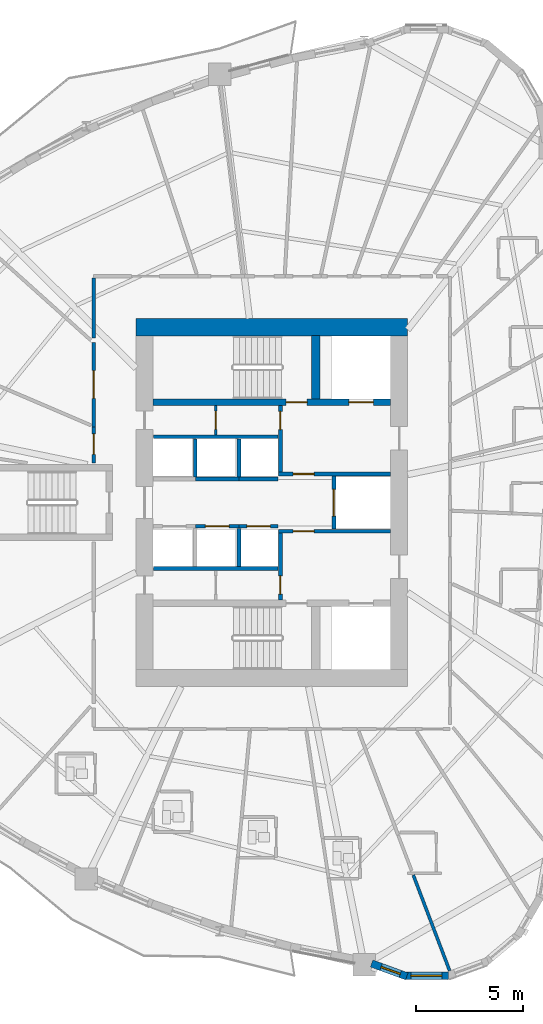
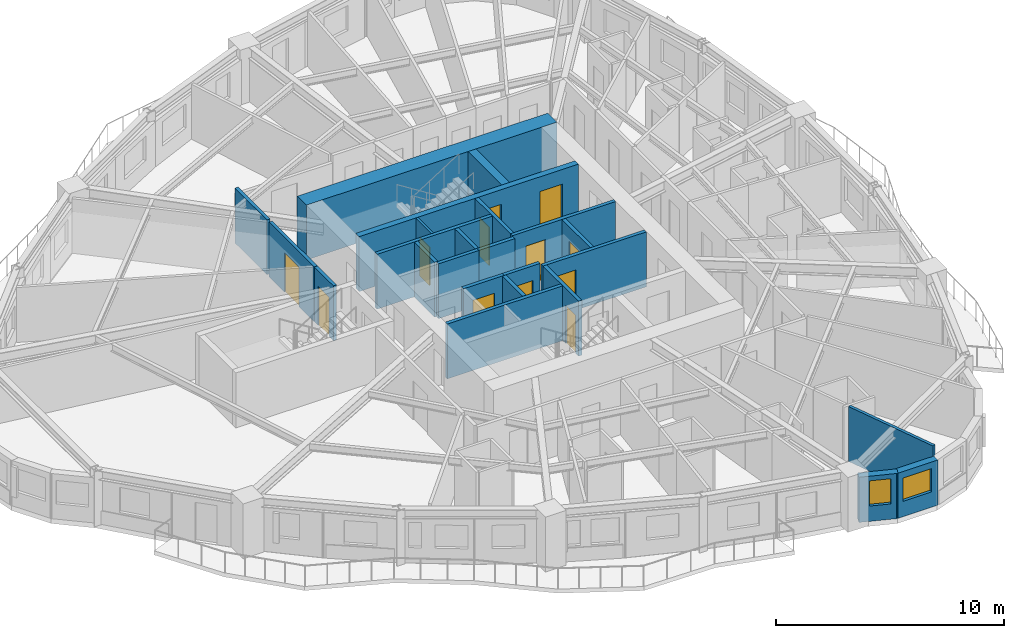
# One storey, part 5 of 14: 24 walls, 12 doors, 2 windows, 14 openings.
"""IFC4 building model written with IfcOpenShell, lengths in metres."""

from ifc_helpers import new_model, si_unit, direction, frame, frame_2d, origin, place, context, subcontext, project, spatial, rectangle, extrude, source, transform, mapped, material, layer, layer_set, type_object, element, fill, save


model = new_model("IFC4")

# Units and contexts
model_context = context("Model", 3, precision=1e-05, world=origin(), true_north=direction((0.0, 1.0)))
body_context = subcontext(model_context, "Body", "Model", "MODEL_VIEW")
ifc_project = project(units=[si_unit("LENGTHUNIT", "METRE"), si_unit("AREAUNIT", "SQUARE_METRE"), si_unit("VOLUMEUNIT", "CUBIC_METRE"), si_unit("PLANEANGLEUNIT", "RADIAN"), si_unit("MASSUNIT", "GRAM", prefix="KILO")], contexts=[model_context])

# Site, building, storey
site_placement = place(None, origin())
site = spatial("IfcSite", under=ifc_project, at=site_placement, CompositionType="ELEMENT")
building_placement = place(site_placement, origin())
building = spatial("IfcBuilding", under=site, at=building_placement, Name="Qafzar Sky-Pleat Residences", CompositionType="ELEMENT")
storey_placement = place(building_placement, frame((0.0, 0.0, 20.60009765625)))
storey = spatial("IfcBuildingStorey", under=building, at=storey_placement, Name="L05", CompositionType="ELEMENT", Elevation=20.60009765625)

# Wall, opening, door
ifc_material_1 = material(Name="Acoustic gypsum plasterboard partition", Category="gypsum")
ifc_layer_1 = layer(ifc_material_1, 0.159912109375)
ifc_layer_set_1 = layer_set([ifc_layer_1], Name="Acoustic gypsum plasterboard partition")
wall_type_1 = type_object("IfcWallType", Name="PART-COR-160", PredefinedType="PARTITIONING", material=ifc_layer_set_1)
wall_1_placement = place(storey_placement, frame((22.02001953125, 29.544921875, 0.0), z_axis=(0.0, 0.0, 1.0), x_axis=(0.0, 1.0, 0.0)))
wall_1 = element("IfcWall", 1, at=wall_1_placement, inside=storey, type_object=wall_type_1, Name="L05 Partition Wall PART-L05-PW-005", PredefinedType="PARTITIONING", context=body_context, shape_type="SweptSolid", body=[
    extrude(rectangle(XDim=3.948974609375, YDim=0.159912109375, at=frame_2d((1.974609375, 0.0))), origin(), (0.0, 0.0, 1.0), 2.93994140625),
])
opening_1_placement = place(wall_1_placement, frame((1.322998046875, 0.0, 0.0)))
opening_1 = element("IfcOpeningElement", 2, at=opening_1_placement, cuts=wall_1, Name="Opening ID-05", PredefinedType="OPENING", context=body_context, shape_type="SweptSolid", body=[
    extrude(rectangle(XDim=1.300048828125, YDim=2.10009765625, at=frame_2d((0.64990234375, 1.050048828125))), frame((0.0, 0.08984375, 0.0), z_axis=(0.0, -1.0, 0.0), x_axis=(1.0, 0.0, 0.0)), (0.0, 0.0, 1.0), 0.179931640625),
])
ifc_material_2 = material(Name="Timber-faced fire door", Category="wood")
door_type_1 = type_object("IfcDoorType", Name="DR-LNG-1300", OperationType="DOUBLE_DOOR_SINGLE_SWING", PredefinedType="DOOR", material=ifc_material_2)
shared_shape_1 = source(origin(), body_context, "Body", "SweptSolid", [
    extrude(rectangle(XDim=1.300048828125, YDim=2.10009765625, at=frame_2d((0.64990234375, 1.050048828125))), frame((0.0, 0.02490234375, 0.0), z_axis=(0.0, -1.0, 0.0), x_axis=(1.0, 0.0, 0.0)), (0.0, 0.0, 1.0), 0.050048828125),
])
door_1_placement = place(opening_1_placement, origin())
door_1 = element("IfcDoor", 3, at=door_1_placement, inside=storey, type_object=door_type_1, Name="L05 Co-Living Lounge Door", OperationType="DOUBLE_DOOR_SINGLE_SWING", OverallHeight=2.10009765625, OverallWidth=1.300048828125, PredefinedType="DOOR", context=body_context, shape_type="MappedRepresentation", body=[
    mapped(shared_shape_1, transform((0.0, 0.0, 0.0), x_axis=(1.0, 0.0, 0.0), y_axis=(0.0, 1.0, 0.0), z_axis=(0.0, 0.0, 1.0), scale=1.0)),
])
fill(opening_1, door_1)

wall_2_placement = place(storey_placement, frame((22.02001953125, 27.85009765625, 0.0), z_axis=(0.0, 0.0, 1.0), x_axis=(0.0, 1.0, 0.0)))
wall_2 = element("IfcWall", 4, at=wall_2_placement, inside=storey, type_object=wall_type_1, Name="L05 Partition Wall PART-L05-PW-029", PredefinedType="PARTITIONING", context=body_context, shape_type="SweptSolid", body=[
    extrude(rectangle(XDim=1.679931640625, YDim=0.159912109375, at=frame_2d((0.83984375, 0.0))), origin(), (0.0, 0.0, 1.0), 2.93994140625),
])
opening_2_placement = place(wall_2_placement, frame((0.405517578125, 0.0, 0.0)))
opening_2 = element("IfcOpeningElement", 5, at=opening_2_placement, cuts=wall_2, Name="Opening ID-06", PredefinedType="OPENING", context=body_context, shape_type="SweptSolid", body=[
    extrude(rectangle(XDim=0.9599609375, YDim=2.10009765625, at=frame_2d((0.47998046875, 1.050048828125))), frame((0.0, 0.08984375, 0.0), z_axis=(0.0, -1.0, 0.0), x_axis=(1.0, 0.0, 0.0)), (0.0, 0.0, 1.0), 0.179931640625),
])
door_type_2 = type_object("IfcDoorType", Name="DR-STD-960", OperationType="NOTDEFINED", PredefinedType="DOOR", material=ifc_material_2)
shared_shape_2 = source(origin(), body_context, "Body", "SweptSolid", [
    extrude(rectangle(XDim=0.9599609375, YDim=2.10009765625, at=frame_2d((0.47998046875, 1.050048828125))), frame((0.0, 0.02490234375, 0.0), z_axis=(0.0, -1.0, 0.0), x_axis=(1.0, 0.0, 0.0)), (0.0, 0.0, 1.0), 0.050048828125),
])
door_2_placement = place(opening_2_placement, origin())
door_2 = element("IfcDoor", 6, at=door_2_placement, inside=storey, type_object=door_type_2, Name="L05 Reading Library Door", OperationType="SINGLE_SWING_RIGHT", OverallHeight=2.10009765625, OverallWidth=0.9599609375, PredefinedType="DOOR", context=body_context, shape_type="MappedRepresentation", body=[
    mapped(shared_shape_2, transform((0.0, 0.0, 0.0), x_axis=(1.0, 0.0, 0.0), y_axis=(0.0, 1.0, 0.0), z_axis=(0.0, 0.0, 1.0), scale=1.0)),
])
fill(opening_2, door_2)

# Wall
wall_3_placement = place(storey_placement, frame((22.02001953125, 33.686279296875, 0.0), z_axis=(0.0, 0.0, 1.0), x_axis=(0.0, 1.0, 0.0)))
element("IfcWall", 7, at=wall_3_placement, inside=storey, type_object=wall_type_1, Name="L05 Partition Wall PART-L05-PW-060", PredefinedType="PARTITIONING", context=body_context, shape_type="SweptSolid", body=[
    extrude(rectangle(XDim=2.8056640625, YDim=0.159912109375, at=frame_2d((1.40283203125, 0.0))), origin(), (0.0, 0.0, 1.0), 2.93994140625),
])

# Wall, opening, door
ifc_material_3 = material(Name="Concrete blockwork partition", Category="masonry")
ifc_layer_2 = layer(ifc_material_3, 0.179931640625)
ifc_layer_set_2 = layer_set([ifc_layer_2], Name="Concrete blockwork partition")
wall_type_2 = type_object("IfcWallType", Name="PART-SHAFT-180", PredefinedType="PARTITIONING", material=ifc_layer_set_2)
wall_4_placement = place(storey_placement, frame((30.75, 21.4599609375, 0.0), z_axis=(0.0, 0.0, 1.0), x_axis=(0.0, 1.0, 0.0)))
wall_4 = element("IfcWall", 8, at=wall_4_placement, inside=storey, type_object=wall_type_2, Name="L05 Partition Wall PART-L05-FFL1-W", PredefinedType="PARTITIONING", context=body_context, shape_type="SweptSolid", body=[
    extrude(rectangle(XDim=3.110107421875, YDim=0.179931640625, at=frame_2d((1.55517578125, 0.0))), origin(), (0.0, 0.0, 1.0), 2.93994140625),
])
opening_3_placement = place(wall_4_placement, frame((0.260009765625, 0.0, 0.0)))
opening_3 = element("IfcOpeningElement", 9, at=opening_3_placement, cuts=wall_4, Name="Opening ID-09", PredefinedType="OPENING", context=body_context, shape_type="SweptSolid", body=[
    extrude(rectangle(XDim=0.860107421875, YDim=2.050048828125, at=frame_2d((0.43017578125, 1.02490234375))), frame((0.0, 0.10009765625, 0.0), z_axis=(0.0, -1.0, 0.0), x_axis=(1.0, 0.0, 0.0)), (0.0, 0.0, 1.0), 0.199951171875),
])
door_type_3 = type_object("IfcDoorType", Name="DR-SVC-860", OperationType="NOTDEFINED", PredefinedType="DOOR", material=ifc_material_2)
shared_shape_3 = source(origin(), body_context, "Body", "SweptSolid", [
    extrude(rectangle(XDim=0.860107421875, YDim=2.050048828125, at=frame_2d((0.43017578125, 1.02490234375))), frame((0.0, 0.02490234375, 0.0), z_axis=(0.0, -1.0, 0.0), x_axis=(1.0, 0.0, 0.0)), (0.0, 0.0, 1.0), 0.050048828125),
])
door_3_placement = place(opening_3_placement, origin())
door_3 = element("IfcDoor", 10, at=door_3_placement, inside=storey, type_object=door_type_3, Name="L05 South Core Cupboard Door", OperationType="SINGLE_SWING_RIGHT", OverallHeight=2.050048828125, OverallWidth=0.860107421875, PredefinedType="DOOR", context=body_context, shape_type="MappedRepresentation", body=[
    mapped(shared_shape_3, transform((0.0, 0.0, 0.0), x_axis=(1.0, 0.0, 0.0), y_axis=(0.0, 1.0, 0.0), z_axis=(0.0, 0.0, 1.0), scale=1.0)),
])
fill(opening_3, door_3)

wall_5_placement = place(storey_placement, frame((30.669921875, 24.659912109375, 0.0), z_axis=(0.0, 0.0, 1.0), x_axis=(1.0, 0.0, 0.0)))
wall_5 = element("IfcWall", 11, at=wall_5_placement, inside=storey, type_object=wall_type_2, Name="L05 Partition Wall PART-L05-FFL1-N", PredefinedType="PARTITIONING", context=body_context, shape_type="SweptSolid", body=[
    extrude(rectangle(XDim=5.219970703125, YDim=0.179931640625, at=frame_2d((2.60986328125, 0.0))), origin(), (0.0, 0.0, 1.0), 2.93994140625),
])
opening_4_placement = place(wall_5_placement, frame((0.679931640625, 0.0, 0.0)))
opening_4 = element("IfcOpeningElement", 12, at=opening_4_placement, cuts=wall_5, Name="Opening ID-01", PredefinedType="OPENING", context=body_context, shape_type="SweptSolid", body=[
    extrude(rectangle(XDim=0.97998046875, YDim=2.14990234375, at=frame_2d((0.489990234375, 1.074951171875))), frame((0.0, 0.10009765625, 0.0), z_axis=(0.0, -1.0, 0.0), x_axis=(1.0, 0.0, 0.0)), (0.0, 0.0, 1.0), 0.199951171875),
])
door_type_4 = type_object("IfcDoorType", Name="DR-STAIR-980", OperationType="NOTDEFINED", PredefinedType="DOOR", material=ifc_material_2)
shared_shape_4 = source(origin(), body_context, "Body", "SweptSolid", [
    extrude(rectangle(XDim=0.97998046875, YDim=2.14990234375, at=frame_2d((0.489990234375, 1.074951171875))), frame((0.0, 0.02490234375, 0.0), z_axis=(0.0, -1.0, 0.0), x_axis=(1.0, 0.0, 0.0)), (0.0, 0.0, 1.0), 0.050048828125),
])
door_4_placement = place(opening_4_placement, origin())
door_4 = element("IfcDoor", 13, at=door_4_placement, inside=storey, type_object=door_type_4, Name="L05 Lift Lobby to South Firefighting Lobby Door", OperationType="SINGLE_SWING_LEFT", OverallHeight=2.14990234375, OverallWidth=0.97998046875, PredefinedType="DOOR", context=body_context, shape_type="MappedRepresentation", body=[
    mapped(shared_shape_4, transform((0.0, 0.0, 0.0), x_axis=(1.0, 0.0, 0.0), y_axis=(0.0, 1.0, 0.0), z_axis=(0.0, 0.0, 1.0), scale=1.0)),
])
fill(opening_4, door_4)

wall_6_placement = place(storey_placement, frame((30.75, 27.429931640625, 0.0), z_axis=(0.0, 0.0, 1.0), x_axis=(0.0, 1.0, 0.0)))
wall_6 = element("IfcWall", 14, at=wall_6_placement, inside=storey, type_object=wall_type_2, Name="L05 Partition Wall PART-L05-FFL2-W", PredefinedType="PARTITIONING", context=body_context, shape_type="SweptSolid", body=[
    extrude(rectangle(XDim=3.110107421875, YDim=0.179931640625, at=frame_2d((1.55517578125, 0.0))), origin(), (0.0, 0.0, 1.0), 2.93994140625),
])
opening_5_placement = place(wall_6_placement, frame((1.97998046875, 0.0, 0.0)))
opening_5 = element("IfcOpeningElement", 15, at=opening_5_placement, cuts=wall_6, Name="Opening ID-09", PredefinedType="OPENING", context=body_context, shape_type="SweptSolid", body=[
    extrude(rectangle(XDim=0.860107421875, YDim=2.050048828125, at=frame_2d((0.43017578125, 1.02490234375))), frame((0.0, 0.10009765625, 0.0), z_axis=(0.0, -1.0, 0.0), x_axis=(1.0, 0.0, 0.0)), (0.0, 0.0, 1.0), 0.199951171875),
])
door_5_placement = place(opening_5_placement, origin())
door_5 = element("IfcDoor", 16, at=door_5_placement, inside=storey, type_object=door_type_3, Name="L05 North Core Cupboard Door", OperationType="SINGLE_SWING_RIGHT", OverallHeight=2.050048828125, OverallWidth=0.860107421875, PredefinedType="DOOR", context=body_context, shape_type="MappedRepresentation", body=[
    mapped(shared_shape_3, transform((0.0, 0.0, 0.0), x_axis=(1.0, 0.0, 0.0), y_axis=(0.0, 1.0, 0.0), z_axis=(0.0, 0.0, 1.0), scale=1.0)),
])
fill(opening_5, door_5)

wall_7_placement = place(storey_placement, frame((30.669921875, 27.340087890625, 0.0), z_axis=(0.0, 0.0, 1.0), x_axis=(1.0, 0.0, 0.0)))
wall_7 = element("IfcWall", 17, at=wall_7_placement, inside=storey, type_object=wall_type_2, Name="L05 Partition Wall PART-L05-FFL2-S", PredefinedType="PARTITIONING", context=body_context, shape_type="SweptSolid", body=[
    extrude(rectangle(XDim=5.219970703125, YDim=0.179931640625, at=frame_2d((2.60986328125, 0.0))), origin(), (0.0, 0.0, 1.0), 2.93994140625),
])
opening_6_placement = place(wall_7_placement, frame((0.679931640625, 0.0, 0.0)))
opening_6 = element("IfcOpeningElement", 18, at=opening_6_placement, cuts=wall_7, Name="Opening ID-01", PredefinedType="OPENING", context=body_context, shape_type="SweptSolid", body=[
    extrude(rectangle(XDim=0.97998046875, YDim=2.14990234375, at=frame_2d((0.489990234375, 1.074951171875))), frame((0.0, 0.10009765625, 0.0), z_axis=(0.0, -1.0, 0.0), x_axis=(1.0, 0.0, 0.0)), (0.0, 0.0, 1.0), 0.199951171875),
])
door_6_placement = place(opening_6_placement, origin())
door_6 = element("IfcDoor", 19, at=door_6_placement, inside=storey, type_object=door_type_4, Name="L05 Lift Lobby to North Firefighting Lobby Door", OperationType="SINGLE_SWING_LEFT", OverallHeight=2.14990234375, OverallWidth=0.97998046875, PredefinedType="DOOR", context=body_context, shape_type="MappedRepresentation", body=[
    mapped(shared_shape_4, transform((0.0, 0.0, 0.0), x_axis=(1.0, 0.0, 0.0), y_axis=(0.0, 1.0, 0.0), z_axis=(0.0, 0.0, 1.0), scale=1.0)),
])
fill(opening_6, door_6)

wall_8_placement = place(storey_placement, frame((33.25, 24.760009765625, 0.0), z_axis=(0.0, 0.0, 1.0), x_axis=(0.0, 1.0, 0.0)))
wall_8 = element("IfcWall", 20, at=wall_8_placement, inside=storey, type_object=wall_type_2, Name="L05 Partition Wall PART-L05-SV1-W", PredefinedType="PARTITIONING", context=body_context, shape_type="SweptSolid", body=[
    extrude(rectangle(XDim=2.47998046875, YDim=0.179931640625, at=frame_2d((1.239990234375, 0.0))), origin(), (0.0, 0.0, 1.0), 2.93994140625),
])
opening_7_placement = place(wall_8_placement, frame((0.614990234375, 0.0, 0.0)))
opening_7 = element("IfcOpeningElement", 21, at=opening_7_placement, cuts=wall_8, Name="Opening LD-03", PredefinedType="OPENING", context=body_context, shape_type="SweptSolid", body=[
    extrude(rectangle(XDim=1.25, YDim=2.14990234375, at=frame_2d((0.625, 1.074951171875))), frame((0.0, 0.10009765625, 0.0), z_axis=(0.0, -1.0, 0.0), x_axis=(1.0, 0.0, 0.0)), (0.0, 0.0, 1.0), 0.199951171875),
])
ifc_material_4 = material(Name="Stainless steel sliding landing door", Category="steel")
door_type_5 = type_object("IfcDoorType", Name="DR-LIFT-SV", OperationType="DOUBLE_DOOR_SLIDING", PredefinedType="DOOR", material=ifc_material_4)
shared_shape_5 = source(origin(), body_context, "Body", "SweptSolid", [
    extrude(rectangle(XDim=1.25, YDim=2.14990234375, at=frame_2d((0.625, 1.074951171875))), frame((0.0, 0.02490234375, 0.0), z_axis=(0.0, -1.0, 0.0), x_axis=(1.0, 0.0, 0.0)), (0.0, 0.0, 1.0), 0.050048828125),
])
door_7_placement = place(opening_7_placement, origin())
door_7 = element("IfcDoor", 22, at=door_7_placement, inside=storey, type_object=door_type_5, Name="L05 Service Lift SV1 Landing Door", OperationType="DOUBLE_DOOR_SLIDING", OverallHeight=2.14990234375, OverallWidth=1.25, PredefinedType="DOOR", context=body_context, shape_type="MappedRepresentation", body=[
    mapped(shared_shape_5, transform((0.0, 0.0, 0.0), x_axis=(1.0, 0.0, 0.0), y_axis=(0.0, 1.0, 0.0), z_axis=(0.0, 0.0, 1.0), scale=1.0)),
])
fill(opening_7, door_7)

# Wall
wall_9_placement = place(storey_placement, frame((24.81005859375, 22.919921875, 0.0), z_axis=(0.0, 0.0, 1.0), x_axis=(1.0, 0.0, 0.0)))
element("IfcWall", 23, at=wall_9_placement, inside=storey, type_object=wall_type_2, Name="L05 Partition Wall PART-L05-P13-S", PredefinedType="PARTITIONING", context=body_context, shape_type="SweptSolid", body=[
    extrude(rectangle(XDim=5.83984375, YDim=0.179931640625, at=frame_2d((2.919921875, 0.0))), origin(), (0.0, 0.0, 1.0), 2.93994140625),
])

# Wall, opening, door
wall_10_placement = place(storey_placement, frame((26.77490234375, 24.89990234375, 0.0), z_axis=(0.0, 0.0, 1.0), x_axis=(1.0, 0.0, 0.0)))
wall_10 = element("IfcWall", 24, at=wall_10_placement, inside=storey, type_object=wall_type_2, Name="L05 Partition Wall PART-L05-P2-N", PredefinedType="PARTITIONING", context=body_context, shape_type="SweptSolid", body=[
    extrude(rectangle(XDim=2.050048828125, YDim=0.179931640625, at=frame_2d((1.02490234375, 0.0))), origin(), (0.0, 0.0, 1.0), 2.93994140625),
])
opening_8_placement = place(wall_10_placement, frame((0.47509765625, 0.0, 0.0)))
opening_8 = element("IfcOpeningElement", 25, at=opening_8_placement, cuts=wall_10, Name="Opening LD-01", PredefinedType="OPENING", context=body_context, shape_type="SweptSolid", body=[
    extrude(rectangle(XDim=1.10009765625, YDim=2.14990234375, at=frame_2d((0.550048828125, 1.074951171875))), frame((0.0, 0.10009765625, 0.0), z_axis=(0.0, -1.0, 0.0), x_axis=(1.0, 0.0, 0.0)), (0.0, 0.0, 1.0), 0.199951171875),
])
door_type_6 = type_object("IfcDoorType", Name="DR-LIFT-P", OperationType="DOUBLE_DOOR_SLIDING", PredefinedType="DOOR", material=ifc_material_4)
shared_shape_6 = source(origin(), body_context, "Body", "SweptSolid", [
    extrude(rectangle(XDim=1.10009765625, YDim=2.14990234375, at=frame_2d((0.550048828125, 1.074951171875))), frame((0.0, 0.02490234375, 0.0), z_axis=(0.0, -1.0, 0.0), x_axis=(1.0, 0.0, 0.0)), (0.0, 0.0, 1.0), 0.050048828125),
])
door_8_placement = place(opening_8_placement, origin())
door_8 = element("IfcDoor", 26, at=door_8_placement, inside=storey, type_object=door_type_6, Name="L05 Passenger Lift P2 Landing Door", OperationType="DOUBLE_DOOR_SLIDING", OverallHeight=2.14990234375, OverallWidth=1.10009765625, PredefinedType="DOOR", context=body_context, shape_type="MappedRepresentation", body=[
    mapped(shared_shape_6, transform((0.0, 0.0, 0.0), x_axis=(1.0, 0.0, 0.0), y_axis=(0.0, 1.0, 0.0), z_axis=(0.0, 0.0, 1.0), scale=1.0)),
])
fill(opening_8, door_8)

wall_11_placement = place(storey_placement, frame((28.824951171875, 24.89990234375, 0.0), z_axis=(0.0, 0.0, 1.0), x_axis=(1.0, 0.0, 0.0)))
wall_11 = element("IfcWall", 27, at=wall_11_placement, inside=storey, type_object=wall_type_2, Name="L05 Partition Wall PART-L05-P3-N", PredefinedType="PARTITIONING", context=body_context, shape_type="SweptSolid", body=[
    extrude(rectangle(XDim=1.824951171875, YDim=0.179931640625, at=frame_2d((0.91259765625, 0.0))), origin(), (0.0, 0.0, 1.0), 2.93994140625),
])
opening_9_placement = place(wall_11_placement, frame((0.362548828125, 0.0, 0.0)))
opening_9 = element("IfcOpeningElement", 28, at=opening_9_placement, cuts=wall_11, Name="Opening LD-01", PredefinedType="OPENING", context=body_context, shape_type="SweptSolid", body=[
    extrude(rectangle(XDim=1.10009765625, YDim=2.14990234375, at=frame_2d((0.550048828125, 1.074951171875))), frame((0.0, 0.10009765625, 0.0), z_axis=(0.0, -1.0, 0.0), x_axis=(1.0, 0.0, 0.0)), (0.0, 0.0, 1.0), 0.199951171875),
])
door_9_placement = place(opening_9_placement, origin())
door_9 = element("IfcDoor", 29, at=door_9_placement, inside=storey, type_object=door_type_6, Name="L05 Passenger Lift P3 Landing Door", OperationType="DOUBLE_DOOR_SLIDING", OverallHeight=2.14990234375, OverallWidth=1.10009765625, PredefinedType="DOOR", context=body_context, shape_type="MappedRepresentation", body=[
    mapped(shared_shape_6, transform((0.0, 0.0, 0.0), x_axis=(1.0, 0.0, 0.0), y_axis=(0.0, 1.0, 0.0), z_axis=(0.0, 0.0, 1.0), scale=1.0)),
])
fill(opening_9, door_9)

# Walls
wall_12_placement = place(storey_placement, frame((28.824951171875, 23.02001953125, 0.0), z_axis=(0.0, 0.0, 1.0), x_axis=(0.0, 1.0, 0.0)))
element("IfcWall", 30, at=wall_12_placement, inside=storey, type_object=wall_type_2, Name="L05 Partition Wall PART-L05-P13-DIV-2", PredefinedType="PARTITIONING", context=body_context, shape_type="SweptSolid", body=[
    extrude(rectangle(XDim=1.780029296875, YDim=0.179931640625, at=frame_2d((0.89013671875, 0.0))), origin(), (0.0, 0.0, 1.0), 2.93994140625),
])
wall_13_placement = place(storey_placement, frame((24.81005859375, 29.080078125, 0.0), z_axis=(0.0, 0.0, 1.0), x_axis=(1.0, 0.0, 0.0)))
element("IfcWall", 31, at=wall_13_placement, inside=storey, type_object=wall_type_2, Name="L05 Partition Wall PART-L05-P46-N", PredefinedType="PARTITIONING", context=body_context, shape_type="SweptSolid", body=[
    extrude(rectangle(XDim=5.83984375, YDim=0.179931640625, at=frame_2d((2.919921875, 0.0))), origin(), (0.0, 0.0, 1.0), 2.93994140625),
])
wall_14_placement = place(storey_placement, frame((26.77490234375, 27.10009765625, 0.0), z_axis=(0.0, 0.0, 1.0), x_axis=(1.0, 0.0, 0.0)))
element("IfcWall", 32, at=wall_14_placement, inside=storey, type_object=wall_type_2, Name="L05 Partition Wall PART-L05-P5-S", PredefinedType="PARTITIONING", context=body_context, shape_type="SweptSolid", body=[
    extrude(rectangle(XDim=2.050048828125, YDim=0.179931640625, at=frame_2d((1.02490234375, 0.0))), origin(), (0.0, 0.0, 1.0), 2.93994140625),
])
wall_15_placement = place(storey_placement, frame((26.77490234375, 27.199951171875, 0.0), z_axis=(0.0, 0.0, 1.0), x_axis=(0.0, 1.0, 0.0)))
element("IfcWall", 33, at=wall_15_placement, inside=storey, type_object=wall_type_2, Name="L05 Partition Wall PART-L05-P46-DIV-1", PredefinedType="PARTITIONING", context=body_context, shape_type="SweptSolid", body=[
    extrude(rectangle(XDim=1.780029296875, YDim=0.179931640625, at=frame_2d((0.89013671875, 0.0))), origin(), (0.0, 0.0, 1.0), 2.93994140625),
])
wall_16_placement = place(storey_placement, frame((28.824951171875, 27.10009765625, 0.0), z_axis=(0.0, 0.0, 1.0), x_axis=(1.0, 0.0, 0.0)))
element("IfcWall", 34, at=wall_16_placement, inside=storey, type_object=wall_type_2, Name="L05 Partition Wall PART-L05-P6-S", PredefinedType="PARTITIONING", context=body_context, shape_type="SweptSolid", body=[
    extrude(rectangle(XDim=1.824951171875, YDim=0.179931640625, at=frame_2d((0.91259765625, 0.0))), origin(), (0.0, 0.0, 1.0), 2.93994140625),
])
wall_17_placement = place(storey_placement, frame((28.824951171875, 27.199951171875, 0.0), z_axis=(0.0, 0.0, 1.0), x_axis=(0.0, 1.0, 0.0)))
element("IfcWall", 35, at=wall_17_placement, inside=storey, type_object=wall_type_2, Name="L05 Partition Wall PART-L05-P46-DIV-2", PredefinedType="PARTITIONING", context=body_context, shape_type="SweptSolid", body=[
    extrude(rectangle(XDim=1.780029296875, YDim=0.179931640625, at=frame_2d((0.89013671875, 0.0))), origin(), (0.0, 0.0, 1.0), 2.93994140625),
])

# Wall, opening, door
ifc_material_5 = material(Name="Gypsum plasterboard partition", Category="gypsum")
ifc_layer_3 = layer(ifc_material_5, 0.114990234375)
ifc_layer_set_3 = layer_set([ifc_layer_3], Name="Gypsum plasterboard partition")
wall_type_3 = type_object("IfcWallType", Name="PART-SVC-115", PredefinedType="PARTITIONING", material=ifc_layer_set_3)
wall_18_placement = place(storey_placement, frame((27.72509765625, 29.159912109375, 0.0), z_axis=(0.0, 0.0, 1.0), x_axis=(0.0, 1.0, 0.0)))
wall_18 = element("IfcWall", 36, at=wall_18_placement, inside=storey, type_object=wall_type_3, Name="L05 Partition Wall PART-L05-KB-NW", PredefinedType="PARTITIONING", context=body_context, shape_type="SweptSolid", body=[
    extrude(rectangle(XDim=1.380126953125, YDim=0.114990234375, at=frame_2d((0.68994140625, 0.0))), origin(), (0.0, 0.0, 1.0), 2.93994140625),
])
opening_10_placement = place(wall_18_placement, frame((0.260009765625, 0.0, 0.0)))
opening_10 = element("IfcOpeningElement", 37, at=opening_10_placement, cuts=wall_18, Name="Opening ID-09", PredefinedType="OPENING", context=body_context, shape_type="SweptSolid", body=[
    extrude(rectangle(XDim=0.860107421875, YDim=2.050048828125, at=frame_2d((0.43017578125, 1.02490234375))), frame((0.0, 0.0673828125, 0.0), z_axis=(0.0, -1.0, 0.0), x_axis=(1.0, 0.0, 0.0)), (0.0, 0.0, 1.0), 0.135009765625),
])
door_10_placement = place(opening_10_placement, origin())
door_10 = element("IfcDoor", 38, at=door_10_placement, inside=storey, type_object=door_type_3, Name="L05 IT Cupboard Door", OperationType="SINGLE_SWING_LEFT", OverallHeight=2.050048828125, OverallWidth=0.860107421875, PredefinedType="DOOR", context=body_context, shape_type="MappedRepresentation", body=[
    mapped(shared_shape_3, transform((0.0, 0.0, 0.0), x_axis=(1.0, 0.0, 0.0), y_axis=(0.0, 1.0, 0.0), z_axis=(0.0, 0.0, 1.0), scale=1.0)),
])
fill(opening_10, door_10)

# Wall
ifc_layer_4 = layer(ifc_material_1, 0.14501953125)
ifc_layer_set_4 = layer_set([ifc_layer_4], Name="Acoustic gypsum plasterboard partition")
wall_type_4 = type_object("IfcWallType", Name="PART-UNIT-145", PredefinedType="PARTITIONING", material=ifc_layer_set_4)
wall_19_placement = place(storey_placement, frame((36.96337890625, 8.59375, 0.0), z_axis=(0.0, 0.0, 1.0), x_axis=(0.35524629266, -0.934772737916, 0.0)))
element("IfcWall", 39, at=wall_19_placement, inside=storey, type_object=wall_type_4, Name="L05 Partition Wall PART-L05-PW-050", PredefinedType="PARTITIONING", context=body_context, shape_type="SweptSolid", body=[
    extrude(rectangle(XDim=4.78515625, YDim=0.14501953125, at=frame_2d((2.392578125, 0.0))), origin(), (0.0, 0.0, 1.0), 2.93994140625),
])

# Wall, opening, window
ifc_material_6 = material(Name="Precast concrete C40/50 with honed Riyadh limestone", Category="concrete")
ifc_layer_5 = layer(ifc_material_6, 0.35009765625)
ifc_layer_set_5 = layer_set([ifc_layer_5], Name="Precast concrete C40/50 with honed Riyadh limestone")
wall_type_5 = type_object("IfcWallType", Name="WALL-EXT-350", PredefinedType="SOLIDWALL", material=ifc_layer_set_5)
wall_20_placement = place(storey_placement, frame((35.014404296875, 4.458740234375, 0.0), z_axis=(0.0, 0.0, 1.0), x_axis=(0.939720171257, -0.341944439541, 0.0)))
wall_20 = element("IfcWall", 40, at=wall_20_placement, inside=storey, type_object=wall_type_5, Name="L05 Limestone Facade Wall 17", PredefinedType="SOLIDWALL", context=body_context, shape_type="SweptSolid", body=[
    extrude(rectangle(XDim=1.752197265625, YDim=0.35009765625, at=frame_2d((0.8759765625, 0.0))), origin(), (0.0, 0.0, 1.0), 2.419921875),
])
opening_11_placement = place(wall_20_placement, frame((0.47607421875, 0.0, 0.820068359375)))
opening_11 = element("IfcOpeningElement", 41, at=opening_11_placement, cuts=wall_20, Name="Opening WN-12", PredefinedType="OPENING", context=body_context, shape_type="SweptSolid", body=[
    extrude(rectangle(XDim=0.949951171875, YDim=1.35009765625, at=frame_2d((0.47509765625, 0.675048828125))), frame((0.0, 0.18505859375, 0.0), z_axis=(0.0, -1.0, 0.0), x_axis=(1.0, 0.0, 0.0)), (0.0, 0.0, 1.0), 0.3701171875),
])
ifc_material_7 = material(Name="Solar-control low-E glass in bronze aluminium frame", Category="glass")
window_type_1 = type_object("IfcWindowType", Name="WIN-12", PartitioningType="SINGLE_PANEL", PredefinedType="WINDOW", material=ifc_material_7)
shared_shape_7 = source(origin(), body_context, "Body", "SweptSolid", [
    extrude(rectangle(XDim=0.949951171875, YDim=1.35009765625, at=frame_2d((0.47509765625, 0.675048828125))), frame((0.0, 0.030029296875, 0.0), z_axis=(0.0, -1.0, 0.0), x_axis=(1.0, 0.0, 0.0)), (0.0, 0.0, 1.0), 0.06005859375),
])
window_1_placement = place(opening_11_placement, origin())
window_1 = element("IfcWindow", 42, at=window_1_placement, inside=storey, type_object=window_type_1, Name="L05 Punched Facade Window 17", OverallHeight=1.35009765625, OverallWidth=0.949951171875, PartitioningType="SINGLE_PANEL", PredefinedType="WINDOW", context=body_context, shape_type="MappedRepresentation", body=[
    mapped(shared_shape_7, transform((0.0, 0.0, 0.0), x_axis=(1.0, 0.0, 0.0), y_axis=(0.0, 1.0, 0.0), z_axis=(0.0, 0.0, 1.0), scale=1.0)),
])
fill(opening_11, window_1)

wall_21_placement = place(storey_placement, frame((36.52734375, 3.883056640625, 0.0), z_axis=(0.0, 0.0, 1.0), x_axis=(1.0, 0.0, 0.0)))
wall_21 = element("IfcWall", 43, at=wall_21_placement, inside=storey, type_object=wall_type_5, Name="L05 Limestone Facade Wall 18", PredefinedType="SOLIDWALL", context=body_context, shape_type="SweptSolid", body=[
    extrude(rectangle(XDim=2.09033203125, YDim=0.35009765625, at=frame_2d((1.045166015625, 0.0))), origin(), (0.0, 0.0, 1.0), 2.419921875),
])
opening_12_placement = place(wall_21_placement, frame((0.3203125, 0.0, 0.820068359375)))
opening_12 = element("IfcOpeningElement", 44, at=opening_12_placement, cuts=wall_21, Name="Opening WN-15", PredefinedType="OPENING", context=body_context, shape_type="SweptSolid", body=[
    extrude(rectangle(XDim=1.449951171875, YDim=1.25, at=frame_2d((0.72509765625, 0.625))), frame((0.0, 0.18505859375, 0.0), z_axis=(0.0, -1.0, 0.0), x_axis=(1.0, 0.0, 0.0)), (0.0, 0.0, 1.0), 0.3701171875),
])
window_type_2 = type_object("IfcWindowType", Name="WIN-15", PartitioningType="SINGLE_PANEL", PredefinedType="WINDOW", material=ifc_material_7)
shared_shape_8 = source(origin(), body_context, "Body", "SweptSolid", [
    extrude(rectangle(XDim=1.449951171875, YDim=1.25, at=frame_2d((0.72509765625, 0.625))), frame((0.0, 0.030029296875, 0.0), z_axis=(0.0, -1.0, 0.0), x_axis=(1.0, 0.0, 0.0)), (0.0, 0.0, 1.0), 0.06005859375),
])
window_2_placement = place(opening_12_placement, origin())
window_2 = element("IfcWindow", 45, at=window_2_placement, inside=storey, type_object=window_type_2, Name="L05 Punched Facade Window 18", OverallHeight=1.25, OverallWidth=1.449951171875, PartitioningType="SINGLE_PANEL", PredefinedType="WINDOW", context=body_context, shape_type="MappedRepresentation", body=[
    mapped(shared_shape_8, transform((0.0, 0.0, 0.0), x_axis=(1.0, 0.0, 0.0), y_axis=(0.0, 1.0, 0.0), z_axis=(0.0, 0.0, 1.0), scale=1.0)),
])
fill(opening_12, window_2)

# Wall, openings, doors
ifc_material_8 = material(Name="Concrete C60/75", Category="concrete")
ifc_layer_6 = layer(ifc_material_8, 0.300048828125)
ifc_layer_set_6 = layer_set([ifc_layer_6], Name="Concrete C60/75")
wall_type_6 = type_object("IfcWallType", Name="WALL-SHEAR-300", PredefinedType="SHEAR", material=ifc_layer_set_6)
wall_22_placement = place(storey_placement, frame((24.800048828125, 30.699951171875, 0.0), z_axis=(0.0, 0.0, 1.0), x_axis=(1.0, 0.0, 0.0)))
wall_22 = element("IfcWall", 46, at=wall_22_placement, inside=storey, type_object=wall_type_6, Name="L05 Stair ST2 and FF2 Shaft South Wall", PredefinedType="SHEAR", context=body_context, shape_type="SweptSolid", body=[
    extrude(rectangle(XDim=11.099853515625, YDim=0.300048828125, at=frame_2d((5.5498046875, 0.0))), origin(), (0.0, 0.0, 1.0), 2.93994140625),
])
opening_13_placement = place(wall_22_placement, frame((6.219970703125, 0.0, 0.0)))
opening_13 = element("IfcOpeningElement", 47, at=opening_13_placement, cuts=wall_22, Name="Opening ID-01", PredefinedType="OPENING", context=body_context, shape_type="SweptSolid", body=[
    extrude(rectangle(XDim=0.97998046875, YDim=2.14990234375, at=frame_2d((0.489990234375, 1.074951171875))), frame((0.0, 0.16015625, 0.0), z_axis=(0.0, -1.0, 0.0), x_axis=(1.0, 0.0, 0.0)), (0.0, 0.0, 1.0), 0.320068359375),
])
opening_14_placement = place(wall_22_placement, frame((9.14990234375, 0.0, 0.0)))
opening_14 = element("IfcOpeningElement", 48, at=opening_14_placement, cuts=wall_22, Name="Opening LD-02", PredefinedType="OPENING", context=body_context, shape_type="SweptSolid", body=[
    extrude(rectangle(XDim=1.14990234375, YDim=2.14990234375, at=frame_2d((0.574951171875, 1.074951171875))), frame((0.0, 0.16015625, 0.0), z_axis=(0.0, -1.0, 0.0), x_axis=(1.0, 0.0, 0.0)), (0.0, 0.0, 1.0), 0.320068359375),
])
door_11_placement = place(opening_13_placement, origin())
door_11 = element("IfcDoor", 49, at=door_11_placement, inside=storey, type_object=door_type_4, Name="L05 Stair ST2 Fire Door", OperationType="SINGLE_SWING_RIGHT", OverallHeight=2.14990234375, OverallWidth=0.97998046875, PredefinedType="DOOR", context=body_context, shape_type="MappedRepresentation", body=[
    mapped(shared_shape_4, transform((0.0, 0.0, 0.0), x_axis=(1.0, 0.0, 0.0), y_axis=(0.0, 1.0, 0.0), z_axis=(0.0, 0.0, 1.0), scale=1.0)),
])
fill(opening_13, door_11)
door_type_7 = type_object("IfcDoorType", Name="DR-LIFT-FF", OperationType="DOUBLE_DOOR_SLIDING", PredefinedType="DOOR", material=ifc_material_4)
shared_shape_9 = source(origin(), body_context, "Body", "SweptSolid", [
    extrude(rectangle(XDim=1.14990234375, YDim=2.14990234375, at=frame_2d((0.574951171875, 1.074951171875))), frame((0.0, 0.02490234375, 0.0), z_axis=(0.0, -1.0, 0.0), x_axis=(1.0, 0.0, 0.0)), (0.0, 0.0, 1.0), 0.050048828125),
])
door_12_placement = place(opening_14_placement, origin())
door_12 = element("IfcDoor", 50, at=door_12_placement, inside=storey, type_object=door_type_7, Name="L05 Firefighting Lift FF2 Landing Door", OperationType="DOUBLE_DOOR_SLIDING", OverallHeight=2.14990234375, OverallWidth=1.14990234375, PredefinedType="DOOR", context=body_context, shape_type="MappedRepresentation", body=[
    mapped(shared_shape_9, transform((0.0, 0.0, 0.0), x_axis=(1.0, 0.0, 0.0), y_axis=(0.0, 1.0, 0.0), z_axis=(0.0, 0.0, 1.0), scale=1.0)),
])
fill(opening_14, door_12)

# Walls
ifc_layer_7 = layer(ifc_material_8, 0.39990234375)
ifc_layer_set_7 = layer_set([ifc_layer_7], Name="Concrete C60/75")
wall_type_7 = type_object("IfcWallType", Name="WALL-SHEAR-400", PredefinedType="SHEAR", material=ifc_layer_set_7)
wall_23_placement = place(storey_placement, frame((32.39990234375, 30.85009765625, 0.0), z_axis=(0.0, 0.0, 1.0), x_axis=(0.0, 1.0, 0.0)))
element("IfcWall", 51, at=wall_23_placement, inside=storey, type_object=wall_type_7, Name="L05 Stair ST2 East Dividing Wall", PredefinedType="SHEAR", context=body_context, shape_type="SweptSolid", body=[
    extrude(rectangle(XDim=2.949951171875, YDim=0.39990234375, at=frame_2d((1.47509765625, 0.0))), origin(), (0.0, 0.0, 1.0), 2.93994140625),
])
ifc_layer_8 = layer(ifc_material_8, 0.800048828125)
ifc_layer_set_8 = layer_set([ifc_layer_8], Name="Concrete C60/75")
wall_type_8 = type_object("IfcWallType", Name="WALL-SHEAR-800", PredefinedType="SHEAR", material=ifc_layer_set_8)
wall_24_placement = place(storey_placement, frame((36.699951171875, 34.199951171875, 0.0), z_axis=(0.0, 0.0, 1.0), x_axis=(-1.0, 0.0, 0.0)))
element("IfcWall", 52, at=wall_24_placement, inside=storey, type_object=wall_type_8, Name="L05 CORE wall N", PredefinedType="SHEAR", context=body_context, shape_type="SweptSolid", body=[
    extrude(rectangle(XDim=12.699951171875, YDim=0.800048828125, at=frame_2d((6.35009765625, 0.0))), origin(), (0.0, 0.0, 1.0), 2.93994140625),
])

save(model, "model.ifc")
